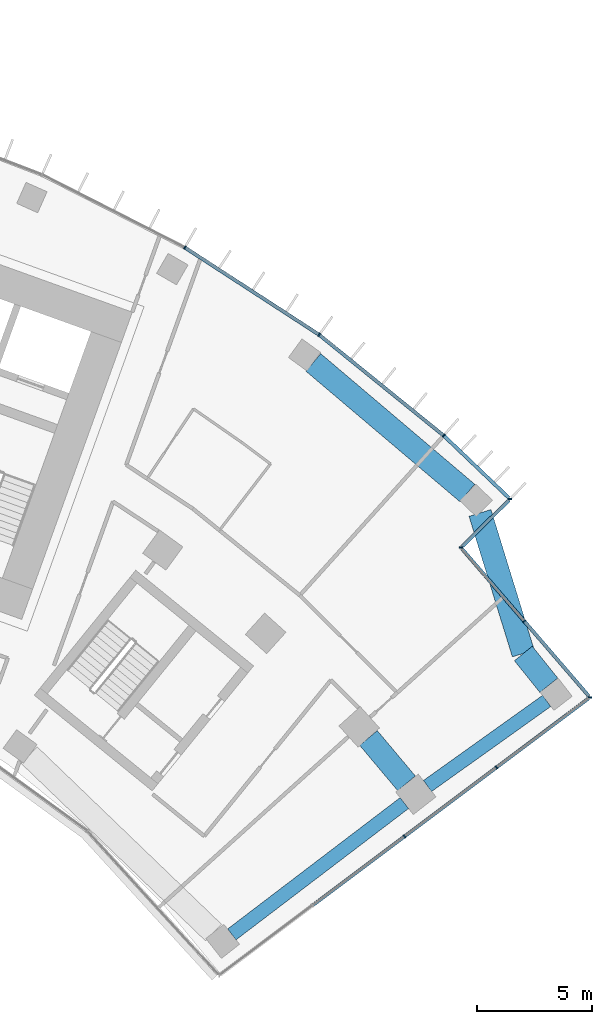
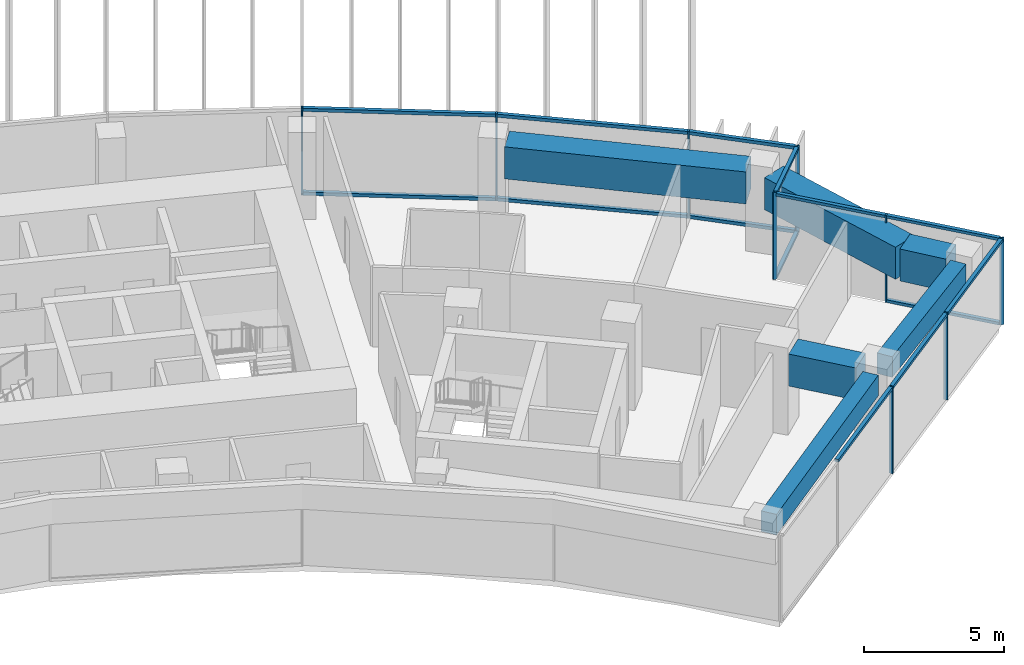
# One storey, part 10 of 22: 23 members, 6 beams, 4 elements without a shape of their own.
"""IFC4 building model written with IfcOpenShell, lengths in metres."""

from ifc_helpers import new_model, si_unit, direction, frame, origin, origin_2d, place, context, subcontext, project, spatial, rectangle, extrude, material, layer, layer_set, material_profile, profile_set, type_object, element, aggregate, save


model = new_model("IFC4")

# Units and contexts
model_context = context("Model", 3, precision=1e-05, world=origin(), true_north=direction((0.0, 1.0)))
body_context = subcontext(model_context, "Body", "Model", "MODEL_VIEW")
ifc_project = project(units=[si_unit("LENGTHUNIT", "METRE"), si_unit("AREAUNIT", "SQUARE_METRE"), si_unit("VOLUMEUNIT", "CUBIC_METRE"), si_unit("PLANEANGLEUNIT", "RADIAN"), si_unit("MASSUNIT", "GRAM", prefix="KILO")], contexts=[model_context])

# Site, building, storey
site_placement = place(None, origin())
site = spatial("IfcSite", under=ifc_project, at=site_placement, CompositionType="ELEMENT")
building_placement = place(site_placement, origin())
building = spatial("IfcBuilding", under=site, at=building_placement, Name="Stone Belt Terrace Tower", CompositionType="ELEMENT")
storey_placement = place(building_placement, frame((0.0, 0.0, 155.39990234375)))
storey = spatial("IfcBuildingStorey", under=building, at=storey_placement, Name="L37", CompositionType="ELEMENT", Elevation=155.39990234375)

# Curtain wall, members
ifc_material_1 = material(Name="Aluminium 6063-T6 anodised frame", Category="aluminium")
ifc_layer_1 = layer(ifc_material_1, 0.14990234375)
ifc_layer_set_1 = layer_set([ifc_layer_1], Name="CW-A unitised convex-face curtain wall")
curtain_wall_type_1 = type_object("IfcCurtainWallType", Name="CW-A unitised convex-face curtain wall", PredefinedType="NOTDEFINED", material=ifc_layer_set_1)
curtain_wall_1_placement = place(storey_placement, origin())
curtain_wall_1 = element("IfcCurtainWall", 1, at=curtain_wall_1_placement, inside=storey, type_object=curtain_wall_type_1, Name="CW-A convex face L37", PredefinedType="NOTDEFINED")
ifc_material_profile_1 = material_profile(ifc_material_1, rectangle(XDim=0.14990234375, YDim=0.06005859375, at=origin_2d()), Name="Aluminium 6063-T6 60x150")
ifc_profile_set_1 = profile_set([ifc_material_profile_1], Name="Aluminium 6063-T6 anodised frame")
member_type_1 = type_object("IfcMemberType", Name="CW-A mullion 60 x 150", PredefinedType="MULLION", material=ifc_profile_set_1)
member_1_placement = place(storey_placement, frame((47.4365234375, 46.715087890625, 0.0), z_axis=(0.0, 0.0, 1.0), x_axis=(-0.999966480105, -0.008187714406, 0.0)))
member_1 = element("IfcMember", 2, at=member_1_placement, type_object=member_type_1, Name="CW-A mullion 1", PredefinedType="MULLION", context=body_context, shape_type="SweptSolid", body=[
    extrude(rectangle(XDim=0.14990234375, YDim=0.06005859375, at=origin_2d()), origin(), (0.0, 0.0, 1.0), 3.800048828125),
])
member_2_placement = place(storey_placement, frame((44.546875, 49.4755859375, 0.0), z_axis=(0.0, 0.0, 1.0), x_axis=(-0.660573481499, -0.75076139721, 0.0)))
member_2 = element("IfcMember", 3, at=member_2_placement, type_object=member_type_1, Name="CW-A mullion 2", PredefinedType="MULLION", context=body_context, shape_type="SweptSolid", body=[
    extrude(rectangle(XDim=0.14990234375, YDim=0.06005859375, at=origin_2d()), origin(), (0.0, 0.0, 1.0), 3.800048828125),
])
member_3_placement = place(storey_placement, frame((39.1318359375, 53.8603515625, 0.0), z_axis=(0.0, 0.0, 1.0), x_axis=(-0.587785252292, -0.809016994375, 0.0)))
member_3 = element("IfcMember", 4, at=member_3_placement, type_object=member_type_1, Name="CW-A mullion 3", PredefinedType="MULLION", context=body_context, shape_type="SweptSolid", body=[
    extrude(rectangle(XDim=0.14990234375, YDim=0.06005859375, at=origin_2d()), origin(), (0.0, 0.0, 1.0), 3.800048828125),
])
member_4_placement = place(storey_placement, frame((33.28759765625, 57.65576171875, 0.0), z_axis=(0.0, 0.0, 1.0), x_axis=(-0.5, -0.866025403784, 0.0)))
member_4 = element("IfcMember", 5, at=member_4_placement, type_object=member_type_1, Name="CW-A mullion 4", PredefinedType="MULLION", context=body_context, shape_type="SweptSolid", body=[
    extrude(rectangle(XDim=0.14990234375, YDim=0.06005859375, at=origin_2d()), origin(), (0.0, 0.0, 1.0), 3.800048828125),
])
ifc_material_profile_2 = material_profile(ifc_material_1, rectangle(XDim=0.14990234375, YDim=0.139892578125, at=origin_2d()), Name="Aluminium 6063-T6 150x140")
ifc_profile_set_2 = profile_set([ifc_material_profile_2], Name="Aluminium 6063-T6 anodised frame")
member_type_2 = type_object("IfcMemberType", Name="CW-A transom 140 x 150", PredefinedType="USERDEFINED", material=ifc_profile_set_2)
member_5_placement = place(storey_placement, frame((47.382568359375, 46.766845703125, 0.070068359375), z_axis=(-0.723150258233, 0.690690744124, 0.0), x_axis=(-0.690690744124, -0.723150258233, 0.0)))
member_5 = element("IfcMember", 6, at=member_5_placement, type_object=member_type_2, Name="CW-A transom 1.1", ObjectType="TRANSOM", PredefinedType="USERDEFINED", context=body_context, shape_type="SweptSolid", body=[
    extrude(rectangle(XDim=0.14990234375, YDim=0.139892578125, at=origin_2d()), origin(), (0.0, 0.0, 1.0), 3.888671875),
])
member_6_placement = place(storey_placement, frame((47.382568359375, 46.766845703125, 3.72998046875), z_axis=(-0.723150258233, 0.690690744124, 0.0), x_axis=(-0.690690744124, -0.723150258233, 0.0)))
member_6 = element("IfcMember", 7, at=member_6_placement, type_object=member_type_2, Name="CW-A transom 1.2", ObjectType="TRANSOM", PredefinedType="USERDEFINED", context=body_context, shape_type="SweptSolid", body=[
    extrude(rectangle(XDim=0.14990234375, YDim=0.139892578125, at=origin_2d()), origin(), (0.0, 0.0, 1.0), 3.888671875),
])
member_7_placement = place(storey_placement, frame((44.52099609375, 49.496337890625, 0.070068359375), z_axis=(-0.777141048626, 0.629326457842, 0.0), x_axis=(-0.629326457842, -0.777141048626, 0.0)))
member_7 = element("IfcMember", 8, at=member_7_placement, type_object=member_type_2, Name="CW-A transom 2.1", ObjectType="TRANSOM", PredefinedType="USERDEFINED", context=body_context, shape_type="SweptSolid", body=[
    extrude(rectangle(XDim=0.14990234375, YDim=0.139892578125, at=origin_2d()), origin(), (0.0, 0.0, 1.0), 6.900634765625),
])
member_8_placement = place(storey_placement, frame((44.52099609375, 49.496337890625, 3.72998046875), z_axis=(-0.777141048626, 0.629326457842, 0.0), x_axis=(-0.629326457842, -0.777141048626, 0.0)))
member_8 = element("IfcMember", 9, at=member_8_placement, type_object=member_type_2, Name="CW-A transom 2.2", ObjectType="TRANSOM", PredefinedType="USERDEFINED", context=body_context, shape_type="SweptSolid", body=[
    extrude(rectangle(XDim=0.14990234375, YDim=0.139892578125, at=origin_2d()), origin(), (0.0, 0.0, 1.0), 6.900634765625),
])
member_9_placement = place(storey_placement, frame((39.103515625, 53.87890625, 0.070068359375), z_axis=(-0.83868440714, 0.544617723931, 0.0), x_axis=(-0.544617723931, -0.83868440714, 0.0)))
member_9 = element("IfcMember", 10, at=member_9_placement, type_object=member_type_2, Name="CW-A transom 3.1", ObjectType="TRANSOM", PredefinedType="USERDEFINED", context=body_context, shape_type="SweptSolid", body=[
    extrude(rectangle(XDim=0.14990234375, YDim=0.139892578125, at=origin_2d()), origin(), (0.0, 0.0, 1.0), 6.90087890625),
])
member_10_placement = place(storey_placement, frame((39.103515625, 53.87890625, 3.72998046875), z_axis=(-0.83868440714, 0.544617723931, 0.0), x_axis=(-0.544617723931, -0.83868440714, 0.0)))
member_10 = element("IfcMember", 11, at=member_10_placement, type_object=member_type_2, Name="CW-A transom 3.2", ObjectType="TRANSOM", PredefinedType="USERDEFINED", context=body_context, shape_type="SweptSolid", body=[
    extrude(rectangle(XDim=0.14990234375, YDim=0.139892578125, at=origin_2d()), origin(), (0.0, 0.0, 1.0), 6.90087890625),
])
aggregate(curtain_wall_1, [member_1, member_2, member_3, member_4, member_5, member_6, member_7, member_8, member_9, member_10])

ifc_layer_2 = layer(ifc_material_1, 0.14990234375)
ifc_layer_set_2 = layer_set([ifc_layer_2], Name="CW-C stick curtain wall, horn ends and notches")
curtain_wall_type_2 = type_object("IfcCurtainWallType", Name="CW-C stick curtain wall, horn ends and notches", PredefinedType="NOTDEFINED", material=ifc_layer_set_2)
curtain_wall_2_placement = place(storey_placement, origin())
curtain_wall_2 = element("IfcCurtainWall", 12, at=curtain_wall_2_placement, inside=storey, type_object=curtain_wall_type_2, Name="CW-C end face L37", PredefinedType="NOTDEFINED")
ifc_material_profile_3 = material_profile(ifc_material_1, rectangle(XDim=0.14990234375, YDim=0.06005859375, at=origin_2d()), Name="Aluminium 6063-T6 60x150")
ifc_profile_set_3 = profile_set([ifc_material_profile_3], Name="Aluminium 6063-T6 anodised frame")
member_type_3 = type_object("IfcMemberType", Name="CW-C mullion 60 x 150", PredefinedType="MULLION", material=ifc_profile_set_3)
member_11_placement = place(storey_placement, frame((42.84423828125, 32.041015625, 0.0), z_axis=(0.0, 0.0, 1.0), x_axis=(-0.600017992436, 0.799986505357, 0.0)))
member_11 = element("IfcMember", 13, at=member_11_placement, type_object=member_type_3, Name="CW-C mullion 3", PredefinedType="MULLION", context=body_context, shape_type="SweptSolid", body=[
    extrude(rectangle(XDim=0.14990234375, YDim=0.06005859375, at=origin_2d()), origin(), (0.0, 0.0, 1.0), 3.800048828125),
])
member_12_placement = place(storey_placement, frame((46.84423828125, 35.041015625, 0.0), z_axis=(0.0, 0.0, 1.0), x_axis=(-0.600017992436, 0.799986505357, 0.0)))
member_12 = element("IfcMember", 14, at=member_12_placement, type_object=member_type_3, Name="CW-C mullion 4", PredefinedType="MULLION", context=body_context, shape_type="SweptSolid", body=[
    extrude(rectangle(XDim=0.14990234375, YDim=0.06005859375, at=origin_2d()), origin(), (0.0, 0.0, 1.0), 3.800048828125),
])

curtain_wall_3_placement = place(storey_placement, origin())
curtain_wall_3 = element("IfcCurtainWall", 15, at=curtain_wall_3_placement, inside=storey, type_object=curtain_wall_type_2, Name="CW-C notch face L37", PredefinedType="NOTDEFINED")
member_13_placement = place(storey_placement, frame((50.908447265625, 38.08935546875, 0.0), z_axis=(0.0, 0.0, 1.0), x_axis=(-0.994169356535, 0.107829914807, 0.0)))
member_13 = element("IfcMember", 16, at=member_13_placement, type_object=member_type_3, Name="CW-C mullion 1", PredefinedType="MULLION", context=body_context, shape_type="SweptSolid", body=[
    extrude(rectangle(XDim=0.14990234375, YDim=0.06005859375, at=origin_2d()), origin(), (0.0, 0.0, 1.0), 3.800048828125),
])
member_14_placement = place(storey_placement, frame((48.05322265625, 41.40283203125, 0.0), z_axis=(0.0, 0.0, 1.0), x_axis=(-0.757583847343, -0.652737860281, 0.0)))
member_14 = element("IfcMember", 17, at=member_14_placement, type_object=member_type_3, Name="CW-C mullion 2", PredefinedType="MULLION", context=body_context, shape_type="SweptSolid", body=[
    extrude(rectangle(XDim=0.14990234375, YDim=0.06005859375, at=origin_2d()), origin(), (0.0, 0.0, 1.0), 3.800048828125),
])

# Curtain wall, member
curtain_wall_4_placement = place(storey_placement, origin())
curtain_wall_4 = element("IfcCurtainWall", 18, at=curtain_wall_4_placement, inside=storey, type_object=curtain_wall_type_2, Name="CW-C notch face L37", PredefinedType="NOTDEFINED")
member_15_placement = place(storey_placement, frame((45.29638671875, 44.602783203125, 0.0), z_axis=(0.0, 0.0, 1.0), x_axis=(-0.999185209744, 0.040359839301, 0.0)))
member_15 = element("IfcMember", 19, at=member_15_placement, type_object=member_type_3, Name="CW-C mullion 1", PredefinedType="MULLION", context=body_context, shape_type="SweptSolid", body=[
    extrude(rectangle(XDim=0.14990234375, YDim=0.06005859375, at=origin_2d()), origin(), (0.0, 0.0, 1.0), 3.800048828125),
])

# Member
ifc_material_profile_4 = material_profile(ifc_material_1, rectangle(XDim=0.14990234375, YDim=0.1201171875, at=origin_2d()), Name="Aluminium 6063-T6 150x120")
ifc_profile_set_4 = profile_set([ifc_material_profile_4], Name="Aluminium 6063-T6 anodised frame")
member_type_4 = type_object("IfcMemberType", Name="CW-C transom 120 x 150", PredefinedType="USERDEFINED", material=ifc_profile_set_4)
member_16_placement = place(storey_placement, frame((38.868408203125, 29.058837890625, 3.739990234375), z_axis=(0.799982207989, 0.600023721949, 0.0), x_axis=(-0.600023721949, 0.799982207989, 0.0)))
member_16 = element("IfcMember", 20, at=member_16_placement, type_object=member_type_4, Name="CW-C transom 2.1", ObjectType="TRANSOM", PredefinedType="USERDEFINED", context=body_context, shape_type="SweptSolid", body=[
    extrude(rectangle(XDim=0.14990234375, YDim=0.1201171875, at=origin_2d()), origin(), (0.0, 0.0, 1.0), 4.93994140625),
])

member_17_placement = place(storey_placement, frame((42.8681640625, 32.05908203125, 3.739990234375), z_axis=(0.800023721353, 0.599968370227, 0.0), x_axis=(-0.599968370227, 0.800023721353, 0.0)))
member_17 = element("IfcMember", 21, at=member_17_placement, type_object=member_type_4, Name="CW-C transom 3.1", ObjectType="TRANSOM", PredefinedType="USERDEFINED", context=body_context, shape_type="SweptSolid", body=[
    extrude(rectangle(XDim=0.14990234375, YDim=0.1201171875, at=origin_2d()), origin(), (0.0, 0.0, 1.0), 4.93994140625),
])

member_18_placement = place(storey_placement, frame((46.8681640625, 35.05908203125, 3.739990234375), z_axis=(0.799988222323, 0.600015703248, 0.0), x_axis=(-0.600015703248, 0.799988222323, 0.0)))
member_18 = element("IfcMember", 22, at=member_18_placement, type_object=member_type_4, Name="CW-C transom 4.1", ObjectType="TRANSOM", PredefinedType="USERDEFINED", context=body_context, shape_type="SweptSolid", body=[
    extrude(rectangle(XDim=0.14990234375, YDim=0.1201171875, at=origin_2d()), origin(), (0.0, 0.0, 1.0), 4.97509765625),
])

aggregate(curtain_wall_2, [member_11, member_12, member_16, member_17, member_18])

member_19_placement = place(storey_placement, frame((50.859130859375, 38.146240234375, 0.06005859375), z_axis=(-0.652743872196, 0.757578667407, 0.0), x_axis=(-0.757578667407, -0.652743872196, 0.0)))
member_19 = element("IfcMember", 23, at=member_19_placement, type_object=member_type_4, Name="CW-C transom 1.1", ObjectType="TRANSOM", PredefinedType="USERDEFINED", context=body_context, shape_type="SweptSolid", body=[
    extrude(rectangle(XDim=0.14990234375, YDim=0.1201171875, at=origin_2d()), origin(), (0.0, 0.0, 1.0), 4.268798828125),
])

member_20_placement = place(storey_placement, frame((50.859130859375, 38.146240234375, 3.739990234375), z_axis=(-0.652743872196, 0.757578667407, 0.0), x_axis=(-0.757578667407, -0.652743872196, 0.0)))
member_20 = element("IfcMember", 24, at=member_20_placement, type_object=member_type_4, Name="CW-C transom 1.2", ObjectType="TRANSOM", PredefinedType="USERDEFINED", context=body_context, shape_type="SweptSolid", body=[
    extrude(rectangle(XDim=0.14990234375, YDim=0.1201171875, at=origin_2d()), origin(), (0.0, 0.0, 1.0), 4.268798828125),
])

member_21_placement = place(storey_placement, frame((48.03369140625, 41.42578125, 3.739990234375), z_axis=(-0.652755588772, 0.757568572029, 0.0), x_axis=(-0.757568572029, -0.652755588772, 0.0)))
member_21 = element("IfcMember", 25, at=member_21_placement, type_object=member_type_4, Name="CW-C transom 2.1", ObjectType="TRANSOM", PredefinedType="USERDEFINED", context=body_context, shape_type="SweptSolid", body=[
    extrude(rectangle(XDim=0.14990234375, YDim=0.1201171875, at=origin_2d()), origin(), (0.0, 0.0, 1.0), 4.12060546875),
])

aggregate(curtain_wall_3, [member_13, member_14, member_19, member_20, member_21])

member_22_placement = place(storey_placement, frame((45.348388671875, 44.654052734375, 0.06005859375), z_axis=(0.711744791626, 0.702438147877, 0.0), x_axis=(-0.702438147877, 0.711744791626, 0.0)))
member_22 = element("IfcMember", 26, at=member_22_placement, type_object=member_type_4, Name="CW-C transom 1.1", ObjectType="TRANSOM", PredefinedType="USERDEFINED", context=body_context, shape_type="SweptSolid", body=[
    extrude(rectangle(XDim=0.14990234375, YDim=0.1201171875, at=origin_2d()), origin(), (0.0, 0.0, 1.0), 2.859375),
])

member_23_placement = place(storey_placement, frame((45.348388671875, 44.654052734375, 3.739990234375), z_axis=(0.711744791626, 0.702438147877, 0.0), x_axis=(-0.702438147877, 0.711744791626, 0.0)))
member_23 = element("IfcMember", 27, at=member_23_placement, type_object=member_type_4, Name="CW-C transom 1.2", ObjectType="TRANSOM", PredefinedType="USERDEFINED", context=body_context, shape_type="SweptSolid", body=[
    extrude(rectangle(XDim=0.14990234375, YDim=0.1201171875, at=origin_2d()), origin(), (0.0, 0.0, 1.0), 2.859375),
])

aggregate(curtain_wall_4, [member_15, member_22, member_23])

# Beams
ifc_material_2 = material(Name="Concrete B60", Category="concrete")
ifc_material_profile_5 = material_profile(ifc_material_2, rectangle(XDim=0.60009765625, YDim=0.89990234375, at=origin_2d()), Name="RC 600x900")
ifc_profile_set_5 = profile_set([ifc_material_profile_5], Name="Concrete B60")
beam_type_1 = type_object("IfcBeamType", Name="Edge beam RC 600x900 B60", PredefinedType="SPANDREL", material=ifc_profile_set_5)
beam_1_placement = place(storey_placement, frame((35.33203125, 27.779541015625, 3.030029296875), z_axis=(0.795702028976, 0.605688270552, 0.0), x_axis=(-0.605688270552, 0.795702028976, 0.0)))
element("IfcBeam", 28, at=beam_1_placement, inside=storey, type_object=beam_type_1, Name="Edge beam L37 B P to Q", PredefinedType="SPANDREL", context=body_context, shape_type="SweptSolid", body=[
    extrude(rectangle(XDim=0.60009765625, YDim=0.89990234375, at=origin_2d()), origin(), (0.0, 0.0, 1.0), 9.430908203125),
])
beam_2_placement = place(storey_placement, frame((43.842529296875, 34.23388671875, 3.030029296875), z_axis=(0.813774908454, 0.581180177201, 0.0), x_axis=(-0.581180177201, 0.813774908454, 0.0)))
element("IfcBeam", 29, at=beam_2_placement, inside=storey, type_object=beam_type_1, Name="Edge beam L37 B Q to R", PredefinedType="SPANDREL", context=body_context, shape_type="SweptSolid", body=[
    extrude(rectangle(XDim=0.60009765625, YDim=0.89990234375, at=origin_2d()), origin(), (0.0, 0.0, 1.0), 6.369140625),
])
ifc_material_3 = material(Name="Concrete B80", Category="concrete")
ifc_material_profile_6 = material_profile(ifc_material_3, rectangle(XDim=1.0, YDim=1.39990234375, at=origin_2d()), Name="RC 1000x1400")
ifc_profile_set_6 = profile_set([ifc_material_profile_6], Name="Concrete B80")
beam_type_2 = type_object("IfcBeamType", Name="Transfer beam RC 1000x1400 B80", PredefinedType="BEAM", material=ifc_profile_set_6)
beam_3_placement = place(storey_placement, frame((41.27490234375, 36.3232421875, 2.780029296875), z_axis=(0.642836505751, -0.76600341179, 0.0), x_axis=(0.76600341179, 0.642836505751, 0.0)))
element("IfcBeam", 30, at=beam_3_placement, inside=storey, type_object=beam_type_2, Name="Transfer beam L37 QQ30-QB", PredefinedType="BEAM", context=body_context, shape_type="SweptSolid", body=[
    extrude(rectangle(XDim=1.0, YDim=1.39990234375, at=origin_2d()), origin(), (0.0, 0.0, 1.0), 2.576904296875),
])
beam_4_placement = place(storey_placement, frame((46.125732421875, 46.111572265625, 2.780029296875), z_axis=(0.294622154305, -0.955613826916, 0.0), x_axis=(0.955613826916, 0.294622154305, 0.0)))
element("IfcBeam", 31, at=beam_4_placement, inside=storey, type_object=beam_type_2, Name="Transfer beam L37 RRNB-RB", PredefinedType="BEAM", context=body_context, shape_type="SweptSolid", body=[
    extrude(rectangle(XDim=1.0, YDim=1.39990234375, at=origin_2d()), origin(), (0.0, 0.0, 1.0), 6.397216796875),
])
beam_5_placement = place(storey_placement, frame((48.010498046875, 39.998291015625, 2.780029296875), z_axis=(0.62597099119, -0.779846342678, 0.0), x_axis=(0.779846342678, 0.62597099119, 0.0)))
element("IfcBeam", 32, at=beam_5_placement, inside=storey, type_object=beam_type_2, Name="Transfer beam L37 RRB-RB", PredefinedType="BEAM", context=body_context, shape_type="SweptSolid", body=[
    extrude(rectangle(XDim=1.0, YDim=1.39990234375, at=origin_2d()), origin(), (0.0, 0.0, 1.0), 1.772216796875),
])
beam_6_placement = place(storey_placement, frame((38.8759765625, 52.657470703125, 2.780029296875), z_axis=(0.76283773516, -0.646589970395, 0.0), x_axis=(0.646589970395, 0.76283773516, 0.0)))
element("IfcBeam", 33, at=beam_6_placement, inside=storey, type_object=beam_type_2, Name="Transfer beam L37 RR28-RNB", PredefinedType="BEAM", context=body_context, shape_type="SweptSolid", body=[
    extrude(rectangle(XDim=1.0, YDim=1.39990234375, at=origin_2d()), origin(), (0.0, 0.0, 1.0), 8.782958984375),
])

save(model, "model.ifc")
